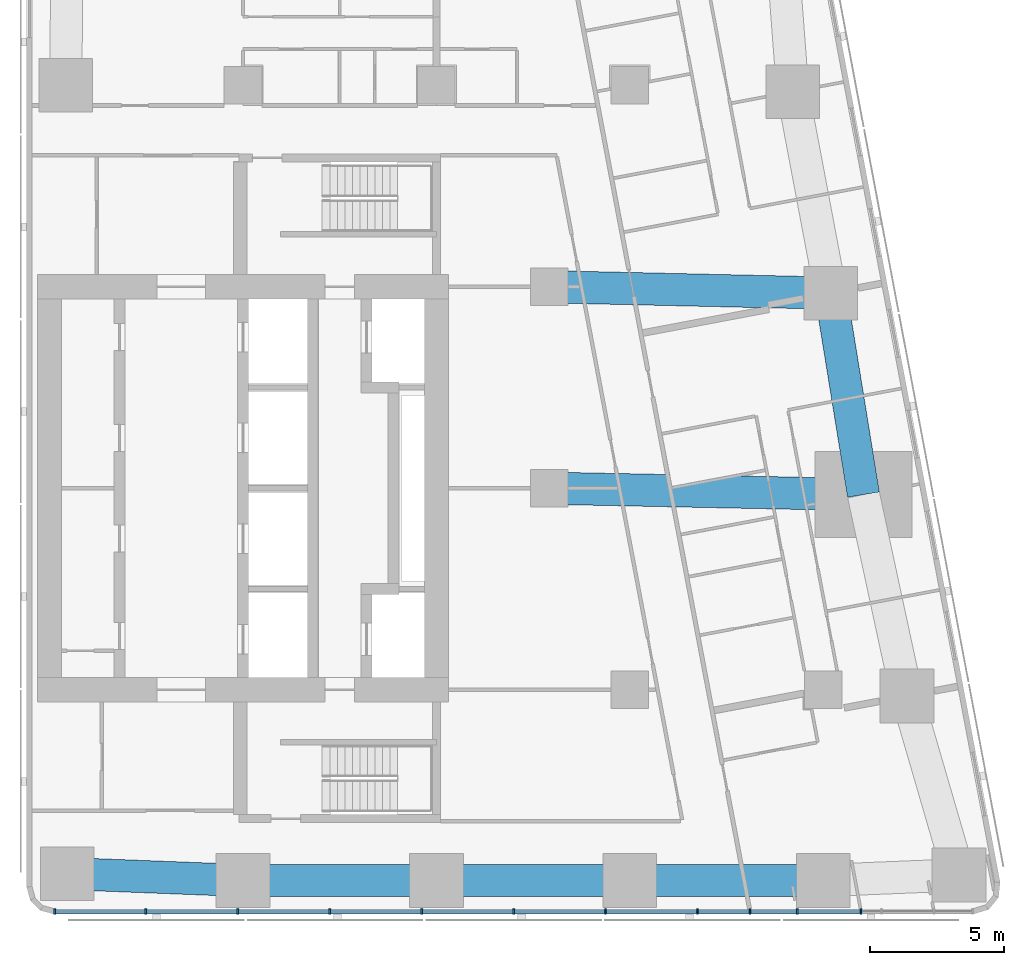
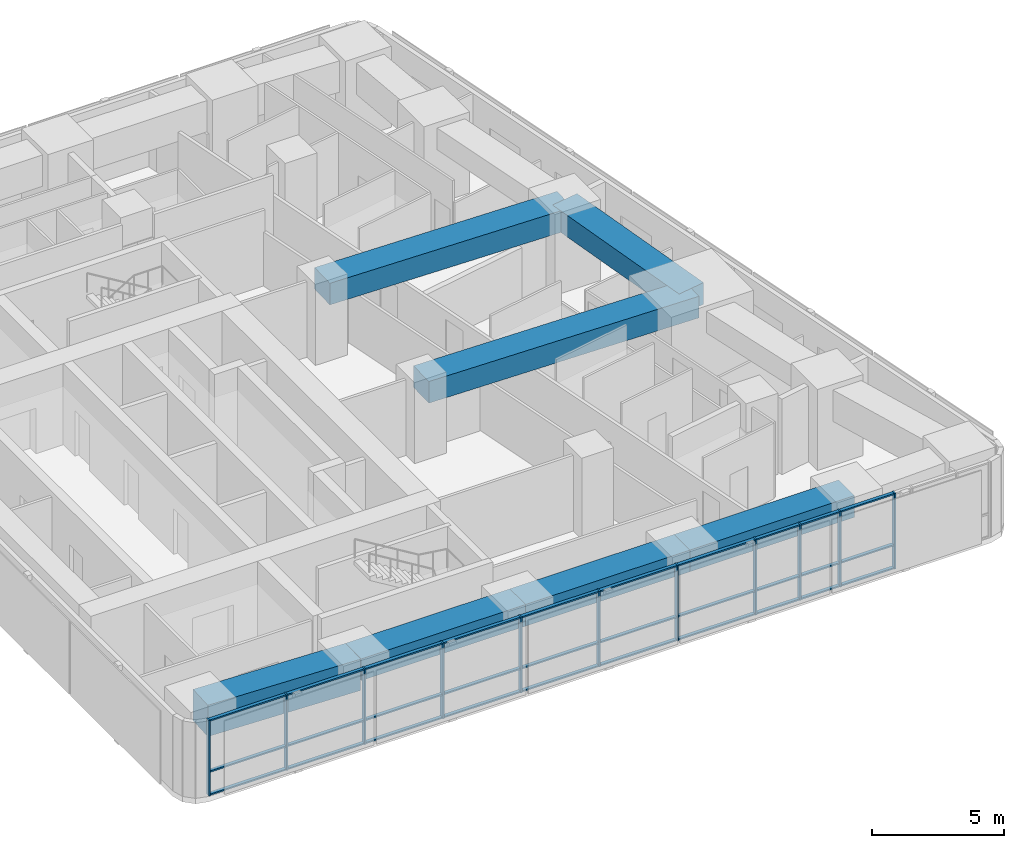
# One storey, part 2 of 11: 41 members, 7 beams, 1 element without a shape of its own.
"""IFC4 building model written with IfcOpenShell, lengths in metres."""

from ifc_helpers import new_model, si_unit, direction, frame, origin, origin_2d, place, context, subcontext, project, spatial, rectangle, extrude, material, material_profile, profile_set, type_object, element, aggregate, save


model = new_model("IFC4")

# Units and contexts
model_context = context("Model", 3, precision=1e-05, world=origin(), true_north=direction((0.0, 1.0)))
body_context = subcontext(model_context, "Body", "Model", "MODEL_VIEW")
ifc_project = project(units=[si_unit("LENGTHUNIT", "METRE"), si_unit("AREAUNIT", "SQUARE_METRE"), si_unit("VOLUMEUNIT", "CUBIC_METRE"), si_unit("PLANEANGLEUNIT", "RADIAN"), si_unit("MASSUNIT", "GRAM", prefix="KILO")], contexts=[model_context])

# Site, building, storey
site_placement = place(None, origin())
site = spatial("IfcSite", under=ifc_project, at=site_placement, CompositionType="ELEMENT")
building_placement = place(site_placement, origin())
building = spatial("IfcBuilding", under=site, at=building_placement, Name="Sheger Commons Tower", CompositionType="ELEMENT")
storey_placement = place(building_placement, frame((0.0, 0.0, 281.60009765625)))
storey = spatial("IfcBuildingStorey", under=building, at=storey_placement, Name="L72", CompositionType="ELEMENT", Elevation=281.60009765625)

# Beams
ifc_material_1 = material(Name="Concrete C50/60", Category="concrete")
ifc_material_profile_1 = material_profile(ifc_material_1, rectangle(XDim=1.199951171875, YDim=1.0, at=origin_2d()), Name="RC 1200x1000")
ifc_profile_set_1 = profile_set([ifc_material_profile_1], Name="Concrete C50/60")
beam_type_1 = type_object("IfcBeamType", Name="BEAM RC 1200x1000", PredefinedType="BEAM", material=ifc_profile_set_1)
beam_1_placement = place(storey_placement, frame((33.0, 22.5, 3.0), z_axis=(0.999794692776, -0.02026258368, 0.0), x_axis=(0.02026258368, 0.999794692776, 0.0)))
element("IfcBeam", 1, at=beam_1_placement, inside=storey, type_object=beam_type_1, Name="Beam 6-3000/D-7/D under L73", PredefinedType="BEAM", context=body_context, shape_type="SweptSolid", body=[
    extrude(rectangle(XDim=1.199951171875, YDim=1.0, at=origin_2d()), origin(), (0.0, 0.0, 1.0), 11.699462890625),
])
beam_2_placement = place(storey_placement, frame((33.0, 30.0, 3.0), z_axis=(0.999744258625, -0.022614538395, 0.0), x_axis=(0.022614538395, 0.999744258625, 0.0)))
element("IfcBeam", 2, at=beam_2_placement, inside=storey, type_object=beam_type_1, Name="Beam 6-3000/E-E/E under L73", PredefinedType="BEAM", context=body_context, shape_type="SweptSolid", body=[
    extrude(rectangle(XDim=1.199951171875, YDim=1.0, at=origin_2d()), origin(), (0.0, 0.0, 1.0), 10.482666015625),
])

# Curtain wall, members
ifc_material_2 = material(Name="Black aluminium curtain wall, dark tinted glazing", Category="aluminium")
curtain_wall_type = type_object("IfcCurtainWallType", Name="CURTAIN WALL CW5 SOUTH GALLERY", PredefinedType="USERDEFINED", material=ifc_material_2)
curtain_wall_placement = place(storey_placement, origin())
curtain_wall = element("IfcCurtainWall", 3, at=curtain_wall_placement, inside=storey, type_object=curtain_wall_type, Name="Curtain Wall Cw5 South Gallery S1 L72", ObjectType="UNITISED CURTAIN WALL", PredefinedType="USERDEFINED")
ifc_material_3 = material(Name="Black anodised aluminium", Category="aluminium")
ifc_material_profile_2 = material_profile(ifc_material_3, rectangle(XDim=0.199951171875, YDim=0.06494140625, at=origin_2d()), Name="AL 65x200")
ifc_profile_set_2 = profile_set([ifc_material_profile_2], Name="Black anodised aluminium")
member_type_1 = type_object("IfcMemberType", Name="MULLION AL 65x200", PredefinedType="MULLION", material=ifc_profile_set_2)
member_1_placement = place(storey_placement, frame((14.595458984375, 6.75, 0.0), z_axis=(0.0, 0.0, 1.0), x_axis=(0.0, 1.0, 0.0)))
member_1 = element("IfcMember", 4, at=member_1_placement, type_object=member_type_1, Name="CW5 mullion 1", PredefinedType="MULLION", context=body_context, shape_type="SweptSolid", body=[
    extrude(rectangle(XDim=0.199951171875, YDim=0.06494140625, at=origin_2d()), origin(), (0.0, 0.0, 1.0), 3.5),
])
member_2_placement = place(storey_placement, frame((17.985107421875, 6.75, 0.0), z_axis=(0.0, 0.0, 1.0), x_axis=(0.0, 1.0, 0.0)))
member_2 = element("IfcMember", 5, at=member_2_placement, type_object=member_type_1, Name="CW5 mullion 2", PredefinedType="MULLION", context=body_context, shape_type="SweptSolid", body=[
    extrude(rectangle(XDim=0.199951171875, YDim=0.06494140625, at=origin_2d()), origin(), (0.0, 0.0, 1.0), 3.5),
])
member_3_placement = place(storey_placement, frame((21.407958984375, 6.75, 0.0), z_axis=(0.0, 0.0, 1.0), x_axis=(0.0, 1.0, 0.0)))
member_3 = element("IfcMember", 6, at=member_3_placement, type_object=member_type_1, Name="CW5 mullion 3", PredefinedType="MULLION", context=body_context, shape_type="SweptSolid", body=[
    extrude(rectangle(XDim=0.199951171875, YDim=0.06494140625, at=origin_2d()), origin(), (0.0, 0.0, 1.0), 3.5),
])
member_4_placement = place(storey_placement, frame((24.830078125, 6.75, 0.0), z_axis=(0.0, 0.0, 1.0), x_axis=(0.0, 1.0, 0.0)))
member_4 = element("IfcMember", 7, at=member_4_placement, type_object=member_type_1, Name="CW5 mullion 4", PredefinedType="MULLION", context=body_context, shape_type="SweptSolid", body=[
    extrude(rectangle(XDim=0.199951171875, YDim=0.06494140625, at=origin_2d()), origin(), (0.0, 0.0, 1.0), 3.5),
])
member_5_placement = place(storey_placement, frame((28.2529296875, 6.75, 0.0), z_axis=(0.0, 0.0, 1.0), x_axis=(0.0, 1.0, 0.0)))
member_5 = element("IfcMember", 8, at=member_5_placement, type_object=member_type_1, Name="CW5 mullion 5", PredefinedType="MULLION", context=body_context, shape_type="SweptSolid", body=[
    extrude(rectangle(XDim=0.199951171875, YDim=0.06494140625, at=origin_2d()), origin(), (0.0, 0.0, 1.0), 3.5),
])
member_6_placement = place(storey_placement, frame((31.675048828125, 6.75, 0.0), z_axis=(0.0, 0.0, 1.0), x_axis=(0.0, 1.0, 0.0)))
member_6 = element("IfcMember", 9, at=member_6_placement, type_object=member_type_1, Name="CW5 mullion 6", PredefinedType="MULLION", context=body_context, shape_type="SweptSolid", body=[
    extrude(rectangle(XDim=0.199951171875, YDim=0.06494140625, at=origin_2d()), origin(), (0.0, 0.0, 1.0), 3.5),
])
member_7_placement = place(storey_placement, frame((35.096923828125, 6.75, 0.0), z_axis=(0.0, 0.0, 1.0), x_axis=(0.0, 1.0, 0.0)))
member_7 = element("IfcMember", 10, at=member_7_placement, type_object=member_type_1, Name="CW5 mullion 7", PredefinedType="MULLION", context=body_context, shape_type="SweptSolid", body=[
    extrude(rectangle(XDim=0.199951171875, YDim=0.06494140625, at=origin_2d()), origin(), (0.0, 0.0, 1.0), 3.5),
])
member_8_placement = place(storey_placement, frame((38.52001953125, 6.75, 0.0), z_axis=(0.0, 0.0, 1.0), x_axis=(0.0, 1.0, 0.0)))
member_8 = element("IfcMember", 11, at=member_8_placement, type_object=member_type_1, Name="CW5 mullion 8", PredefinedType="MULLION", context=body_context, shape_type="SweptSolid", body=[
    extrude(rectangle(XDim=0.199951171875, YDim=0.06494140625, at=origin_2d()), origin(), (0.0, 0.0, 1.0), 3.5),
])
member_9_placement = place(storey_placement, frame((40.47412109375, 6.75, 0.0), z_axis=(0.0, 0.0, 1.0), x_axis=(0.0, 1.0, 0.0)))
member_9 = element("IfcMember", 12, at=member_9_placement, type_object=member_type_1, Name="CW5 mullion 9", PredefinedType="MULLION", context=body_context, shape_type="SweptSolid", body=[
    extrude(rectangle(XDim=0.199951171875, YDim=0.06494140625, at=origin_2d()), origin(), (0.0, 0.0, 1.0), 3.5),
])
member_10_placement = place(storey_placement, frame((42.22802734375, 6.75, 0.0), z_axis=(0.0, 0.0, 1.0), x_axis=(0.0, 1.0, 0.0)))
member_10 = element("IfcMember", 13, at=member_10_placement, type_object=member_type_1, Name="CW5 mullion 10", PredefinedType="MULLION", context=body_context, shape_type="SweptSolid", body=[
    extrude(rectangle(XDim=0.199951171875, YDim=0.06494140625, at=origin_2d()), origin(), (0.0, 0.0, 1.0), 3.5),
])
member_11_placement = place(storey_placement, frame((44.60595703125, 6.75, 0.0), z_axis=(0.0, 0.0, 1.0), x_axis=(0.0, 1.0, 0.0)))
member_11 = element("IfcMember", 14, at=member_11_placement, type_object=member_type_1, Name="CW5 mullion 11", PredefinedType="MULLION", context=body_context, shape_type="SweptSolid", body=[
    extrude(rectangle(XDim=0.199951171875, YDim=0.06494140625, at=origin_2d()), origin(), (0.0, 0.0, 1.0), 3.5),
])

# Beams
ifc_material_4 = material(Name="Concrete C50/60", Category="concrete")
ifc_material_profile_3 = material_profile(ifc_material_4, rectangle(XDim=1.199951171875, YDim=1.0, at=origin_2d()), Name="RC 1200x1000")
ifc_profile_set_3 = profile_set([ifc_material_profile_3], Name="Concrete C50/60")
beam_type_2 = type_object("IfcBeamType", Name="SPANDREL RC 1200x1000", PredefinedType="SPANDREL", material=ifc_profile_set_3)
for number, where, z_axis, x_axis, name in (
    (15, (21.60009765625, 7.89990234375, 3.0), (1.0, 0.0, 0.0), (0.0, 1.0, 0.0), "Beam 4/B-5/B under L73"),
    (16, (28.800048828125, 7.89990234375, 3.0), (1.0, 0.0, 0.0), (0.0, 1.0, 0.0), "Beam 5/B-6/B under L73"),
    (17, (36.0, 7.89990234375, 3.0), (1.0, 0.0, 0.0), (0.0, 1.0, 0.0), "Beam 6/B-7/B under L73"),
):
    element("IfcBeam", number, at=place(storey_placement, frame(where, z_axis=z_axis, x_axis=x_axis)), inside=storey, type_object=beam_type_2, Name=name, PredefinedType="SPANDREL", context=body_context, shape_type="SweptSolid", body=[
        extrude(rectangle(XDim=1.199951171875, YDim=1.0, at=origin_2d()), origin(), (0.0, 0.0, 1.0), 7.199951171875),
    ])
beam_3_placement = place(storey_placement, frame((44.697021484375, 22.262939453125, 3.0), z_axis=(-0.160176929512, 0.987088319884, 0.0), x_axis=(-0.987088319884, -0.160176929512, 0.0)))
element("IfcBeam", 18, at=beam_3_placement, inside=storey, type_object=beam_type_2, Name="Beam E/D-E/E under L73", PredefinedType="SPANDREL", context=body_context, shape_type="SweptSolid", body=[
    extrude(rectangle(XDim=1.199951171875, YDim=1.0, at=origin_2d()), origin(), (0.0, 0.0, 1.0), 7.59814453125),
])
ifc_material_5 = material(Name="Concrete C50/60", Category="concrete")
ifc_material_profile_4 = material_profile(ifc_material_5, rectangle(XDim=1.199951171875, YDim=1.449951171875, at=origin_2d()), Name="RC 1200x1450")
ifc_profile_set_4 = profile_set([ifc_material_profile_4], Name="Concrete C50/60")
beam_type_3 = type_object("IfcBeamType", Name="SPANDREL RC 1200x1450", PredefinedType="SPANDREL", material=ifc_profile_set_4)
beam_4_placement = place(storey_placement, frame((15.053955078125, 8.154052734375, 2.77490234375), z_axis=(0.999247181966, -0.038795223079, 0.0), x_axis=(0.038795223079, 0.999247181966, 0.0)))
element("IfcBeam", 19, at=beam_4_placement, inside=storey, type_object=beam_type_3, Name="Beam 3/B-4/B under L73", PredefinedType="SPANDREL", context=body_context, shape_type="SweptSolid", body=[
    extrude(rectangle(XDim=1.199951171875, YDim=1.449951171875, at=origin_2d()), origin(), (0.0, 0.0, 1.0), 6.551025390625),
])

# Member
ifc_material_6 = material(Name="Black anodised aluminium", Category="aluminium")
ifc_material_profile_5 = material_profile(ifc_material_6, rectangle(XDim=0.14990234375, YDim=0.06494140625, at=origin_2d()), Name="AL 65x150")
ifc_profile_set_5 = profile_set([ifc_material_profile_5], Name="Black anodised aluminium")
member_type_2 = type_object("IfcMemberType", Name="TRANSOM AL 65x150", PredefinedType="USERDEFINED", material=ifc_profile_set_5)
member_12_placement = place(storey_placement, frame((14.6279296875, 6.75, 0.032470703125), z_axis=(1.0, 0.0, 0.0), x_axis=(0.0, 1.0, 0.0)))
member_12 = element("IfcMember", 20, at=member_12_placement, type_object=member_type_2, Name="CW5 transom 1.1", ObjectType="TRANSOM", PredefinedType="USERDEFINED", context=body_context, shape_type="SweptSolid", body=[
    extrude(rectangle(XDim=0.14990234375, YDim=0.06494140625, at=origin_2d()), origin(), (0.0, 0.0, 1.0), 3.324462890625),
])

member_13_placement = place(storey_placement, frame((14.6279296875, 6.75, 1.099853515625), z_axis=(1.0, 0.0, 0.0), x_axis=(0.0, 1.0, 0.0)))
member_13 = element("IfcMember", 21, at=member_13_placement, type_object=member_type_2, Name="CW5 transom 1.2", ObjectType="TRANSOM", PredefinedType="USERDEFINED", context=body_context, shape_type="SweptSolid", body=[
    extrude(rectangle(XDim=0.14990234375, YDim=0.06494140625, at=origin_2d()), origin(), (0.0, 0.0, 1.0), 3.324462890625),
])

member_14_placement = place(storey_placement, frame((14.6279296875, 6.75, 3.46728515625), z_axis=(1.0, 0.0, 0.0), x_axis=(0.0, 1.0, 0.0)))
member_14 = element("IfcMember", 22, at=member_14_placement, type_object=member_type_2, Name="CW5 transom 1.3", ObjectType="TRANSOM", PredefinedType="USERDEFINED", context=body_context, shape_type="SweptSolid", body=[
    extrude(rectangle(XDim=0.14990234375, YDim=0.06494140625, at=origin_2d()), origin(), (0.0, 0.0, 1.0), 3.324462890625),
])

member_15_placement = place(storey_placement, frame((18.017578125, 6.75, 0.032470703125), z_axis=(1.0, 0.0, 0.0), x_axis=(0.0, 1.0, 0.0)))
member_15 = element("IfcMember", 23, at=member_15_placement, type_object=member_type_2, Name="CW5 transom 2.1", ObjectType="TRANSOM", PredefinedType="USERDEFINED", context=body_context, shape_type="SweptSolid", body=[
    extrude(rectangle(XDim=0.14990234375, YDim=0.06494140625, at=origin_2d()), origin(), (0.0, 0.0, 1.0), 3.35791015625),
])

member_16_placement = place(storey_placement, frame((18.017578125, 6.75, 1.099853515625), z_axis=(1.0, 0.0, 0.0), x_axis=(0.0, 1.0, 0.0)))
member_16 = element("IfcMember", 24, at=member_16_placement, type_object=member_type_2, Name="CW5 transom 2.2", ObjectType="TRANSOM", PredefinedType="USERDEFINED", context=body_context, shape_type="SweptSolid", body=[
    extrude(rectangle(XDim=0.14990234375, YDim=0.06494140625, at=origin_2d()), origin(), (0.0, 0.0, 1.0), 3.35791015625),
])

member_17_placement = place(storey_placement, frame((18.017578125, 6.75, 3.46728515625), z_axis=(1.0, 0.0, 0.0), x_axis=(0.0, 1.0, 0.0)))
member_17 = element("IfcMember", 25, at=member_17_placement, type_object=member_type_2, Name="CW5 transom 2.3", ObjectType="TRANSOM", PredefinedType="USERDEFINED", context=body_context, shape_type="SweptSolid", body=[
    extrude(rectangle(XDim=0.14990234375, YDim=0.06494140625, at=origin_2d()), origin(), (0.0, 0.0, 1.0), 3.35791015625),
])

member_18_placement = place(storey_placement, frame((21.4404296875, 6.75, 0.032470703125), z_axis=(1.0, 0.0, 0.0), x_axis=(0.0, 1.0, 0.0)))
member_18 = element("IfcMember", 26, at=member_18_placement, type_object=member_type_2, Name="CW5 transom 3.1", ObjectType="TRANSOM", PredefinedType="USERDEFINED", context=body_context, shape_type="SweptSolid", body=[
    extrude(rectangle(XDim=0.14990234375, YDim=0.06494140625, at=origin_2d()), origin(), (0.0, 0.0, 1.0), 3.357177734375),
])

member_19_placement = place(storey_placement, frame((21.4404296875, 6.75, 1.099853515625), z_axis=(1.0, 0.0, 0.0), x_axis=(0.0, 1.0, 0.0)))
member_19 = element("IfcMember", 27, at=member_19_placement, type_object=member_type_2, Name="CW5 transom 3.2", ObjectType="TRANSOM", PredefinedType="USERDEFINED", context=body_context, shape_type="SweptSolid", body=[
    extrude(rectangle(XDim=0.14990234375, YDim=0.06494140625, at=origin_2d()), origin(), (0.0, 0.0, 1.0), 3.357177734375),
])

member_20_placement = place(storey_placement, frame((21.4404296875, 6.75, 3.46728515625), z_axis=(1.0, 0.0, 0.0), x_axis=(0.0, 1.0, 0.0)))
member_20 = element("IfcMember", 28, at=member_20_placement, type_object=member_type_2, Name="CW5 transom 3.3", ObjectType="TRANSOM", PredefinedType="USERDEFINED", context=body_context, shape_type="SweptSolid", body=[
    extrude(rectangle(XDim=0.14990234375, YDim=0.06494140625, at=origin_2d()), origin(), (0.0, 0.0, 1.0), 3.357177734375),
])

member_21_placement = place(storey_placement, frame((24.862548828125, 6.75, 0.032470703125), z_axis=(1.0, 0.0, 0.0), x_axis=(0.0, 1.0, 0.0)))
member_21 = element("IfcMember", 29, at=member_21_placement, type_object=member_type_2, Name="CW5 transom 4.1", ObjectType="TRANSOM", PredefinedType="USERDEFINED", context=body_context, shape_type="SweptSolid", body=[
    extrude(rectangle(XDim=0.14990234375, YDim=0.06494140625, at=origin_2d()), origin(), (0.0, 0.0, 1.0), 3.35791015625),
])

member_22_placement = place(storey_placement, frame((24.862548828125, 6.75, 1.099853515625), z_axis=(1.0, 0.0, 0.0), x_axis=(0.0, 1.0, 0.0)))
member_22 = element("IfcMember", 30, at=member_22_placement, type_object=member_type_2, Name="CW5 transom 4.2", ObjectType="TRANSOM", PredefinedType="USERDEFINED", context=body_context, shape_type="SweptSolid", body=[
    extrude(rectangle(XDim=0.14990234375, YDim=0.06494140625, at=origin_2d()), origin(), (0.0, 0.0, 1.0), 3.35791015625),
])

member_23_placement = place(storey_placement, frame((24.862548828125, 6.75, 3.46728515625), z_axis=(1.0, 0.0, 0.0), x_axis=(0.0, 1.0, 0.0)))
member_23 = element("IfcMember", 31, at=member_23_placement, type_object=member_type_2, Name="CW5 transom 4.3", ObjectType="TRANSOM", PredefinedType="USERDEFINED", context=body_context, shape_type="SweptSolid", body=[
    extrude(rectangle(XDim=0.14990234375, YDim=0.06494140625, at=origin_2d()), origin(), (0.0, 0.0, 1.0), 3.35791015625),
])

member_24_placement = place(storey_placement, frame((28.285400390625, 6.75, 0.032470703125), z_axis=(1.0, 0.0, 0.0), x_axis=(0.0, 1.0, 0.0)))
member_24 = element("IfcMember", 32, at=member_24_placement, type_object=member_type_2, Name="CW5 transom 5.1", ObjectType="TRANSOM", PredefinedType="USERDEFINED", context=body_context, shape_type="SweptSolid", body=[
    extrude(rectangle(XDim=0.14990234375, YDim=0.06494140625, at=origin_2d()), origin(), (0.0, 0.0, 1.0), 3.357177734375),
])

member_25_placement = place(storey_placement, frame((28.285400390625, 6.75, 1.099853515625), z_axis=(1.0, 0.0, 0.0), x_axis=(0.0, 1.0, 0.0)))
member_25 = element("IfcMember", 33, at=member_25_placement, type_object=member_type_2, Name="CW5 transom 5.2", ObjectType="TRANSOM", PredefinedType="USERDEFINED", context=body_context, shape_type="SweptSolid", body=[
    extrude(rectangle(XDim=0.14990234375, YDim=0.06494140625, at=origin_2d()), origin(), (0.0, 0.0, 1.0), 3.357177734375),
])

member_26_placement = place(storey_placement, frame((28.285400390625, 6.75, 3.46728515625), z_axis=(1.0, 0.0, 0.0), x_axis=(0.0, 1.0, 0.0)))
member_26 = element("IfcMember", 34, at=member_26_placement, type_object=member_type_2, Name="CW5 transom 5.3", ObjectType="TRANSOM", PredefinedType="USERDEFINED", context=body_context, shape_type="SweptSolid", body=[
    extrude(rectangle(XDim=0.14990234375, YDim=0.06494140625, at=origin_2d()), origin(), (0.0, 0.0, 1.0), 3.357177734375),
])

member_27_placement = place(storey_placement, frame((31.70751953125, 6.75, 0.032470703125), z_axis=(1.0, 0.0, 0.0), x_axis=(0.0, 1.0, 0.0)))
member_27 = element("IfcMember", 35, at=member_27_placement, type_object=member_type_2, Name="CW5 transom 6.1", ObjectType="TRANSOM", PredefinedType="USERDEFINED", context=body_context, shape_type="SweptSolid", body=[
    extrude(rectangle(XDim=0.14990234375, YDim=0.06494140625, at=origin_2d()), origin(), (0.0, 0.0, 1.0), 3.35693359375),
])

member_28_placement = place(storey_placement, frame((31.70751953125, 6.75, 1.099853515625), z_axis=(1.0, 0.0, 0.0), x_axis=(0.0, 1.0, 0.0)))
member_28 = element("IfcMember", 36, at=member_28_placement, type_object=member_type_2, Name="CW5 transom 6.2", ObjectType="TRANSOM", PredefinedType="USERDEFINED", context=body_context, shape_type="SweptSolid", body=[
    extrude(rectangle(XDim=0.14990234375, YDim=0.06494140625, at=origin_2d()), origin(), (0.0, 0.0, 1.0), 3.35693359375),
])

member_29_placement = place(storey_placement, frame((31.70751953125, 6.75, 3.46728515625), z_axis=(1.0, 0.0, 0.0), x_axis=(0.0, 1.0, 0.0)))
member_29 = element("IfcMember", 37, at=member_29_placement, type_object=member_type_2, Name="CW5 transom 6.3", ObjectType="TRANSOM", PredefinedType="USERDEFINED", context=body_context, shape_type="SweptSolid", body=[
    extrude(rectangle(XDim=0.14990234375, YDim=0.06494140625, at=origin_2d()), origin(), (0.0, 0.0, 1.0), 3.35693359375),
])

member_30_placement = place(storey_placement, frame((35.12939453125, 6.75, 0.032470703125), z_axis=(1.0, 0.0, 0.0), x_axis=(0.0, 1.0, 0.0)))
member_30 = element("IfcMember", 38, at=member_30_placement, type_object=member_type_2, Name="CW5 transom 7.1", ObjectType="TRANSOM", PredefinedType="USERDEFINED", context=body_context, shape_type="SweptSolid", body=[
    extrude(rectangle(XDim=0.14990234375, YDim=0.06494140625, at=origin_2d()), origin(), (0.0, 0.0, 1.0), 3.358154296875),
])

member_31_placement = place(storey_placement, frame((35.12939453125, 6.75, 1.099853515625), z_axis=(1.0, 0.0, 0.0), x_axis=(0.0, 1.0, 0.0)))
member_31 = element("IfcMember", 39, at=member_31_placement, type_object=member_type_2, Name="CW5 transom 7.2", ObjectType="TRANSOM", PredefinedType="USERDEFINED", context=body_context, shape_type="SweptSolid", body=[
    extrude(rectangle(XDim=0.14990234375, YDim=0.06494140625, at=origin_2d()), origin(), (0.0, 0.0, 1.0), 3.358154296875),
])

member_32_placement = place(storey_placement, frame((35.12939453125, 6.75, 3.46728515625), z_axis=(1.0, 0.0, 0.0), x_axis=(0.0, 1.0, 0.0)))
member_32 = element("IfcMember", 40, at=member_32_placement, type_object=member_type_2, Name="CW5 transom 7.3", ObjectType="TRANSOM", PredefinedType="USERDEFINED", context=body_context, shape_type="SweptSolid", body=[
    extrude(rectangle(XDim=0.14990234375, YDim=0.06494140625, at=origin_2d()), origin(), (0.0, 0.0, 1.0), 3.358154296875),
])

member_33_placement = place(storey_placement, frame((38.552490234375, 6.75, 0.032470703125), z_axis=(1.0, 0.0, 0.0), x_axis=(0.0, 1.0, 0.0)))
member_33 = element("IfcMember", 41, at=member_33_placement, type_object=member_type_2, Name="CW5 transom 8.1", ObjectType="TRANSOM", PredefinedType="USERDEFINED", context=body_context, shape_type="SweptSolid", body=[
    extrude(rectangle(XDim=0.14990234375, YDim=0.06494140625, at=origin_2d()), origin(), (0.0, 0.0, 1.0), 1.888916015625),
])

member_34_placement = place(storey_placement, frame((38.552490234375, 6.75, 1.099853515625), z_axis=(1.0, 0.0, 0.0), x_axis=(0.0, 1.0, 0.0)))
member_34 = element("IfcMember", 42, at=member_34_placement, type_object=member_type_2, Name="CW5 transom 8.2", ObjectType="TRANSOM", PredefinedType="USERDEFINED", context=body_context, shape_type="SweptSolid", body=[
    extrude(rectangle(XDim=0.14990234375, YDim=0.06494140625, at=origin_2d()), origin(), (0.0, 0.0, 1.0), 1.888916015625),
])

member_35_placement = place(storey_placement, frame((38.552490234375, 6.75, 3.46728515625), z_axis=(1.0, 0.0, 0.0), x_axis=(0.0, 1.0, 0.0)))
member_35 = element("IfcMember", 43, at=member_35_placement, type_object=member_type_2, Name="CW5 transom 8.3", ObjectType="TRANSOM", PredefinedType="USERDEFINED", context=body_context, shape_type="SweptSolid", body=[
    extrude(rectangle(XDim=0.14990234375, YDim=0.06494140625, at=origin_2d()), origin(), (0.0, 0.0, 1.0), 1.888916015625),
])

member_36_placement = place(storey_placement, frame((40.506591796875, 6.75, 0.032470703125), z_axis=(1.0, 0.0, 0.0), x_axis=(0.0, 1.0, 0.0)))
member_36 = element("IfcMember", 44, at=member_36_placement, type_object=member_type_2, Name="CW5 transom 9.1", ObjectType="TRANSOM", PredefinedType="USERDEFINED", context=body_context, shape_type="SweptSolid", body=[
    extrude(rectangle(XDim=0.14990234375, YDim=0.06494140625, at=origin_2d()), origin(), (0.0, 0.0, 1.0), 1.68896484375),
])

member_37_placement = place(storey_placement, frame((40.506591796875, 6.75, 1.099853515625), z_axis=(1.0, 0.0, 0.0), x_axis=(0.0, 1.0, 0.0)))
member_37 = element("IfcMember", 45, at=member_37_placement, type_object=member_type_2, Name="CW5 transom 9.2", ObjectType="TRANSOM", PredefinedType="USERDEFINED", context=body_context, shape_type="SweptSolid", body=[
    extrude(rectangle(XDim=0.14990234375, YDim=0.06494140625, at=origin_2d()), origin(), (0.0, 0.0, 1.0), 1.68896484375),
])

member_38_placement = place(storey_placement, frame((40.506591796875, 6.75, 3.46728515625), z_axis=(1.0, 0.0, 0.0), x_axis=(0.0, 1.0, 0.0)))
member_38 = element("IfcMember", 46, at=member_38_placement, type_object=member_type_2, Name="CW5 transom 9.3", ObjectType="TRANSOM", PredefinedType="USERDEFINED", context=body_context, shape_type="SweptSolid", body=[
    extrude(rectangle(XDim=0.14990234375, YDim=0.06494140625, at=origin_2d()), origin(), (0.0, 0.0, 1.0), 1.68896484375),
])

member_39_placement = place(storey_placement, frame((42.260498046875, 6.75, 0.032470703125), z_axis=(1.0, 0.0, 0.0), x_axis=(0.0, 1.0, 0.0)))
member_39 = element("IfcMember", 47, at=member_39_placement, type_object=member_type_2, Name="CW5 transom 10.1", ObjectType="TRANSOM", PredefinedType="USERDEFINED", context=body_context, shape_type="SweptSolid", body=[
    extrude(rectangle(XDim=0.14990234375, YDim=0.06494140625, at=origin_2d()), origin(), (0.0, 0.0, 1.0), 2.31298828125),
])

member_40_placement = place(storey_placement, frame((42.260498046875, 6.75, 1.099853515625), z_axis=(1.0, 0.0, 0.0), x_axis=(0.0, 1.0, 0.0)))
member_40 = element("IfcMember", 48, at=member_40_placement, type_object=member_type_2, Name="CW5 transom 10.2", ObjectType="TRANSOM", PredefinedType="USERDEFINED", context=body_context, shape_type="SweptSolid", body=[
    extrude(rectangle(XDim=0.14990234375, YDim=0.06494140625, at=origin_2d()), origin(), (0.0, 0.0, 1.0), 2.31298828125),
])

member_41_placement = place(storey_placement, frame((42.260498046875, 6.75, 3.46728515625), z_axis=(1.0, 0.0, 0.0), x_axis=(0.0, 1.0, 0.0)))
member_41 = element("IfcMember", 49, at=member_41_placement, type_object=member_type_2, Name="CW5 transom 10.3", ObjectType="TRANSOM", PredefinedType="USERDEFINED", context=body_context, shape_type="SweptSolid", body=[
    extrude(rectangle(XDim=0.14990234375, YDim=0.06494140625, at=origin_2d()), origin(), (0.0, 0.0, 1.0), 2.31298828125),
])

aggregate(curtain_wall, [member_1, member_2, member_3, member_4, member_5, member_6, member_7, member_8, member_9, member_10, member_11, member_12, member_13, member_14, member_15, member_16, member_17, member_18, member_19, member_20, member_21, member_22, member_23, member_24, member_25, member_26, member_27, member_28, member_29, member_30, member_31, member_32, member_33, member_34, member_35, member_36, member_37, member_38, member_39, member_40, member_41])

save(model, "model.ifc")
